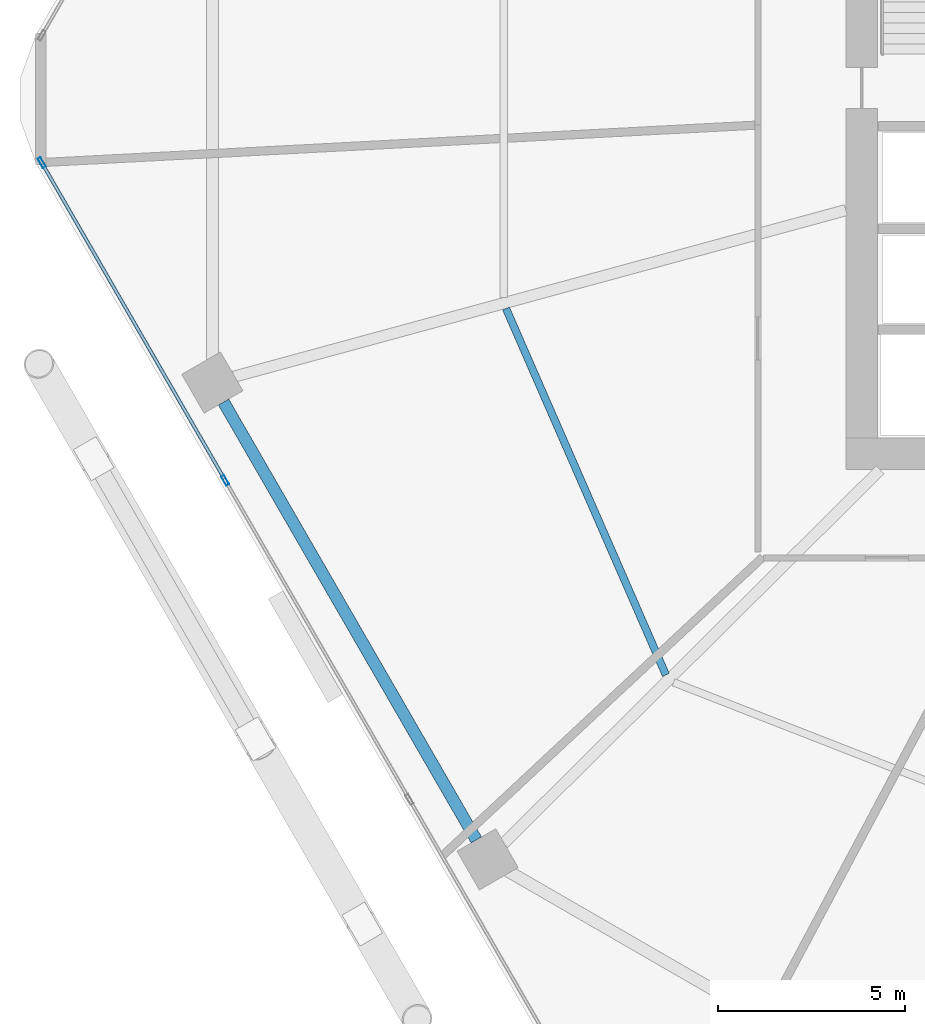
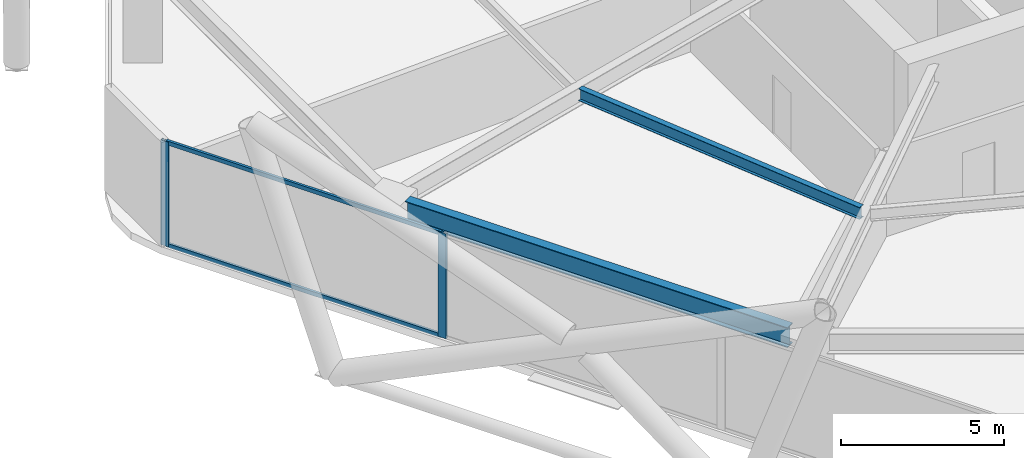
# One storey, part 5 of 30: 4 members, 2 beams, 1 element without a shape of its own.
"""IFC4 building model written with IfcOpenShell, lengths in metres."""

import ifcopenshell
import ifcopenshell.guid

model = None  # the IFC model being written
_history = None  # IfcOwnerHistory: only IFC2X3 demands one
_inside = {}  # id of a spatial element -> (the spatial element, [elements in it])
_under = {}  # id of a project, library or spatial element -> (it, [spatial elements below it])
_declared = {}  # id of a project -> (the project, [libraries it declares])
_typed = {}  # id of a type object -> (the type object, [elements of that type])
_made_of = {}  # id of a material, layer set ... -> (it, [elements and type objects made of it])


def new_model(schema):
    """Start an empty IFC model of exactly this schema.

    Asked for "IFC4X3", IfcOpenShell would pick the latest addendum, in which some entities
    have other attributes; the version numbers below select the first issue.
    IFC2X3 requires an IfcOwnerHistory on every rooted entity: one is made here for all.
    """
    global model, _history
    if schema == "IFC4X3":
        model = ifcopenshell.file(schema_version=(4, 3, 0, 0))
    else:
        model = ifcopenshell.file(schema=schema)
    _inside.clear()
    _under.clear()
    _declared.clear()
    _typed.clear()
    _made_of.clear()
    _history = None
    if model.schema == "IFC2X3":
        org = make("IfcOrganization", Name="unknown")
        user = make(
            "IfcPersonAndOrganization",
            ThePerson=make("IfcPerson", FamilyName="unknown"),
            TheOrganization=org,
        )
        app = make(
            "IfcApplication",
            ApplicationDeveloper=org,
            Version="unknown",
            ApplicationFullName="unknown",
            ApplicationIdentifier="unknown",
        )
        _history = make(
            "IfcOwnerHistory",
            OwningUser=user,
            OwningApplication=app,
            ChangeAction="ADDED",
            CreationDate=0,
        )
    return model


def make(cls, **values):
    """One entity of the class cls with the attributes given. An attribute that is None is left unset."""
    return model.create_entity(
        cls, **{name: value for name, value in values.items() if value is not None}
    )


def rooted(cls, **values):
    """An entity with a GlobalId (a new one), such as an element, a storey or a relation."""
    return make(cls, GlobalId=ifcopenshell.guid.new(), OwnerHistory=_history, **values)


def si_unit(unit_type, name, prefix=None):
    """IfcSIUnit, for example si_unit("LENGTHUNIT", "METRE", prefix="MILLI")."""
    return make("IfcSIUnit", UnitType=unit_type, Prefix=prefix, Name=name)


def assignment(units):
    """IfcUnitAssignment: the units of a project."""
    return None if units is None else make("IfcUnitAssignment", Units=units)


def point(xyz):
    """IfcCartesianPoint."""
    return None if xyz is None else make("IfcCartesianPoint", Coordinates=xyz)


def direction(xyz):
    """IfcDirection."""
    return None if xyz is None else make("IfcDirection", DirectionRatios=xyz)


def frame(location, z_axis=None, x_axis=None):
    """IfcAxis2Placement3D, a coordinate frame: its origin and axes. An axis left out is left unset."""
    return make(
        "IfcAxis2Placement3D",
        Location=point(location),
        Axis=direction(z_axis),
        RefDirection=direction(x_axis),
    )


def frame_2d(location, x_axis=None):
    """IfcAxis2Placement2D, a coordinate frame in the plane: its origin and x axis."""
    return make(
        "IfcAxis2Placement2D", Location=point(location), RefDirection=direction(x_axis)
    )


def origin():
    """The frame at (0, 0, 0) with its axes left unset."""
    return frame((0.0, 0.0, 0.0))


def origin_2d():
    """The frame at (0, 0) in the plane with its x axis left unset."""
    return frame_2d((0.0, 0.0))


def place(relative_to, where):
    """IfcLocalPlacement: puts the frame where relative to a parent placement (None: the world)."""
    return make(
        "IfcLocalPlacement", PlacementRelTo=relative_to, RelativePlacement=where
    )


def context(
    kind, dimensions, precision=None, world=None, true_north=None, identifier=None
):
    """IfcGeometricRepresentationContext, for example the 3D "Model" context."""
    return make(
        "IfcGeometricRepresentationContext",
        ContextIdentifier=identifier,
        ContextType=kind,
        CoordinateSpaceDimension=dimensions,
        Precision=precision,
        WorldCoordinateSystem=world,
        TrueNorth=true_north,
    )


def subcontext(parent, identifier, kind, view, scale=None):
    """IfcGeometricRepresentationSubContext, for example "Body" below "Model"."""
    return make(
        "IfcGeometricRepresentationSubContext",
        ContextIdentifier=identifier,
        ContextType=kind,
        ParentContext=parent,
        TargetScale=scale,
        TargetView=view,
    )


def project(units=None, contexts=None):
    """IfcProject with its units and contexts."""
    return rooted(
        "IfcProject",
        Name="project",
        RepresentationContexts=contexts,
        UnitsInContext=assignment(units),
    )


def spatial(cls, under=None, at=None, **own):
    """A site, building, storey or space (cls), placed at a placement, below another one or the project."""
    s = rooted(cls, ObjectPlacement=at, **own)
    if under is not None:
        _under.setdefault(under.id(), (under, []))[1].append(s)
    return s


def profile(cls, at=None, kind="AREA", **sizes):
    """A parametric profile (cls). Its sizes go by their IFC names, for example OverallWidth=200.0."""
    return make(cls, ProfileType=kind, Position=at, **sizes)


def hollow_rectangle(**sizes):
    """IfcRectangleHollowProfileDef."""
    return profile("IfcRectangleHollowProfileDef", **sizes)


def i_section(**sizes):
    """IfcIShapeProfileDef."""
    return profile("IfcIShapeProfileDef", **sizes)


def extrude(swept, where, along, depth):
    """IfcExtrudedAreaSolid: the profile swept, set in the frame where, extruded along a direction by depth."""
    return make(
        "IfcExtrudedAreaSolid",
        SweptArea=swept,
        Position=where,
        ExtrudedDirection=direction(along),
        Depth=depth,
    )


def shape(context_of_items, identifier, shape_type, items):
    """IfcShapeRepresentation: the items that make up one representation, for example the "Body"."""
    return make(
        "IfcShapeRepresentation",
        ContextOfItems=context_of_items,
        RepresentationIdentifier=identifier,
        RepresentationType=shape_type,
        Items=items,
    )


def material(Name=None, Category=None):
    """IfcMaterial."""
    return make("IfcMaterial", Name=Name, Category=Category)


def material_profile(
    of_material, cross_section, Name=None, Category=None, Priority=None
):
    """IfcMaterialProfile: a cross section and its material."""
    return make(
        "IfcMaterialProfile",
        Name=Name,
        Material=of_material,
        Profile=cross_section,
        Priority=Priority,
        Category=Category,
    )


def profile_set(profiles, Name=None, composite=None):
    """IfcMaterialProfileSet."""
    return make(
        "IfcMaterialProfileSet",
        Name=Name,
        MaterialProfiles=profiles,
        CompositeProfile=composite,
    )


def made_of(thing, what):
    """Note that an element or type object is made of a material, layer set ...; save() writes the relation."""
    if what is not None:
        _made_of.setdefault(what.id(), (what, []))[1].append(thing)
    return thing


def type_object(cls, material=None, **own):
    """A type object (cls), such as IfcWallType, which elements share."""
    return made_of(rooted(cls, **own), material)


def element(
    cls,
    number,
    at=None,
    inside=None,
    cuts=None,
    type_object=None,
    material=None,
    context=None,
    identifier="Body",
    shape_type=None,
    held_by="IfcProductDefinitionShape",
    body=None,
    shapes=None,
    **own,
):
    """One element of the class cls, such as IfcWall. Its Tag is "e" and its number.

    at: its placement. inside: the storey or other place that contains it. cuts: it is an
    opening in that element (IfcRelVoidsElement). A single representation is given by context,
    identifier, shape_type and body (its items); several are given by shapes. held_by: the class
    of the entity that holds the representations. save() writes the other relations.
    """
    e = rooted(cls, Tag="e%d" % number, ObjectPlacement=at, **own)
    if body is not None:
        shapes = [shape(context, identifier, shape_type, body)]
    if shapes is not None:
        e.Representation = make(held_by, Representations=shapes)
    if inside is not None:
        _inside.setdefault(inside.id(), (inside, []))[1].append(e)
    if cuts is not None:
        rooted(
            "IfcRelVoidsElement", RelatingBuildingElement=cuts, RelatedOpeningElement=e
        )
    if type_object is not None:
        _typed.setdefault(type_object.id(), (type_object, []))[1].append(e)
    return made_of(e, material)


def aggregate(whole, parts):
    """IfcRelAggregates: a whole, such as a stair, and the parts it consists of."""
    return rooted("IfcRelAggregates", RelatingObject=whole, RelatedObjects=parts)


def save(model, path):
    """Write the relations noted so far, then the file.

    IfcRelAggregates (storeys below a building ...), IfcRelContainedInSpatialStructure (elements
    in a storey), IfcRelDefinesByType, IfcRelAssociatesMaterial and IfcRelDeclares: one each for
    every whole, place, type object, material and project.
    """
    for whole, parts in _under.values():
        aggregate(whole, parts)
    for where, things in _inside.values():
        rooted(
            "IfcRelContainedInSpatialStructure",
            RelatedElements=things,
            RelatingStructure=where,
        )
    for kind, things in _typed.values():
        rooted("IfcRelDefinesByType", RelatedObjects=things, RelatingType=kind)
    for what, things in _made_of.values():
        rooted("IfcRelAssociatesMaterial", RelatedObjects=things, RelatingMaterial=what)
    for by, libraries in _declared.values():
        rooted("IfcRelDeclares", RelatingContext=by, RelatedDefinitions=libraries)
    model.write(path)


model = new_model("IFC4")

# Units and contexts
model_context = context("Model", 3, precision=1e-05, world=origin(), true_north=direction((0.0, 1.0)))
body_context = subcontext(model_context, "Body", "Model", "MODEL_VIEW")
ifc_project = project(units=[si_unit("LENGTHUNIT", "METRE"), si_unit("AREAUNIT", "SQUARE_METRE"), si_unit("VOLUMEUNIT", "CUBIC_METRE"), si_unit("PLANEANGLEUNIT", "RADIAN"), si_unit("MASSUNIT", "GRAM", prefix="KILO")], contexts=[model_context])

# Site, building, storey
site_placement = place(None, origin())
site = spatial("IfcSite", under=ifc_project, at=site_placement, CompositionType="ELEMENT")
building_placement = place(site_placement, origin())
building = spatial("IfcBuilding", under=site, at=building_placement, Name="Zuhravey Tower", CompositionType="ELEMENT")
storey_placement = place(building_placement, frame((0.0, 0.0, 33.0)))
storey = spatial("IfcBuildingStorey", under=building, at=storey_placement, Name="L08", CompositionType="ELEMENT", Elevation=33.0)

# Curtain wall, members
ifc_material_1 = material(Name="Thermally broken anodised aluminium", Category="aluminium")
curtain_wall_type = type_object("IfcCurtainWallType", Name="School Low-E Unitised Curtain Wall CW1", PredefinedType="NOTDEFINED", material=ifc_material_1)
curtain_wall_placement = place(storey_placement, origin())
curtain_wall = element("IfcCurtainWall", 1, at=curtain_wall_placement, inside=storey, type_object=curtain_wall_type, Name="L08 CW1 CW-L08-F4-1", PredefinedType="NOTDEFINED")
ifc_material_2 = material(Name="Anodised aluminium", Category="aluminium")
ifc_material_profile_1 = material_profile(ifc_material_2, hollow_rectangle(XDim=0.090087890625, YDim=0.284912109375, WallThickness=0.0048828125, at=origin_2d()), Name="ALU-RHS-90x285x5")
ifc_profile_set_1 = profile_set([ifc_material_profile_1], Name="Anodised aluminium")
member_type_1 = type_object("IfcMemberType", Name="Curtain-Wall Mullion 90x180", PredefinedType="MULLION", material=ifc_profile_set_1)
member_1_placement = place(storey_placement, frame((8.45458984375, 21.79296875, 0.0), z_axis=(0.0, 0.0, 1.0), x_axis=(-0.86602552265, -0.499999794119, 0.0)))
member_1 = element("IfcMember", 2, at=member_1_placement, type_object=member_type_1, Name="CW1 mullion 3", PredefinedType="MULLION", context=body_context, shape_type="SweptSolid", body=[
    extrude(hollow_rectangle(XDim=0.090087890625, YDim=0.284912109375, WallThickness=0.0048828125, at=origin_2d()), origin(), (0.0, 0.0, 1.0), 3.919921875),
])
member_2_placement = place(storey_placement, frame((3.5439453125, 30.298583984375, 0.0), z_axis=(0.0, 0.0, 1.0), x_axis=(-0.86602552265, -0.499999794119, 0.0)))
member_2 = element("IfcMember", 3, at=member_2_placement, type_object=member_type_1, Name="CW1 mullion 4", PredefinedType="MULLION", context=body_context, shape_type="SweptSolid", body=[
    extrude(hollow_rectangle(XDim=0.090087890625, YDim=0.284912109375, WallThickness=0.0048828125, at=origin_2d()), origin(), (0.0, 0.0, 1.0), 3.919921875),
])
ifc_material_profile_2 = material_profile(ifc_material_2, hollow_rectangle(XDim=0.090087890625, YDim=0.14990234375, WallThickness=0.0048828125, at=origin_2d()), Name="ALU-RHS-90x150x5")
ifc_profile_set_2 = profile_set([ifc_material_profile_2], Name="Anodised aluminium")
member_type_2 = type_object("IfcMemberType", Name="Curtain-Wall Transom 90x150", PredefinedType="USERDEFINED", material=ifc_profile_set_2)
member_3_placement = place(storey_placement, frame((8.43212890625, 21.83203125, 0.044921875), z_axis=(-0.500008393077, 0.866020557985, 0.0), x_axis=(-0.866020557985, -0.500008393077, 0.0)))
member_3 = element("IfcMember", 4, at=member_3_placement, type_object=member_type_2, Name="CW1 transom 3.1", ObjectType="TRANSOM", PredefinedType="USERDEFINED", context=body_context, shape_type="SweptSolid", body=[
    extrude(hollow_rectangle(XDim=0.090087890625, YDim=0.14990234375, WallThickness=0.0048828125, at=origin_2d()), origin(), (0.0, 0.0, 1.0), 9.731201171875),
])
member_4_placement = place(storey_placement, frame((8.43212890625, 21.83203125, 3.875), z_axis=(-0.500008393077, 0.866020557985, 0.0), x_axis=(-0.866020557985, -0.500008393077, 0.0)))
member_4 = element("IfcMember", 5, at=member_4_placement, type_object=member_type_2, Name="CW1 transom 3.2", ObjectType="TRANSOM", PredefinedType="USERDEFINED", context=body_context, shape_type="SweptSolid", body=[
    extrude(hollow_rectangle(XDim=0.090087890625, YDim=0.14990234375, WallThickness=0.0048828125, at=origin_2d()), origin(), (0.0, 0.0, 1.0), 9.731201171875),
])
aggregate(curtain_wall, [member_1, member_2, member_3, member_4])

# Beams
ifc_material_3 = material(Name="Steel SM355", Category="steel")
ifc_material_profile_3 = material_profile(ifc_material_3, i_section(OverallWidth=0.320068359375, OverallDepth=0.75, WebThickness=0.013916015625, FlangeThickness=0.02490234375, at=origin_2d()), Name="H-750x320x14x25")
ifc_profile_set_3 = profile_set([ifc_material_profile_3], Name="Steel SM355")
beam_type_1 = type_object("IfcBeamType", Name="Perimeter Ring Beam H750x320", PredefinedType="BEAM", material=ifc_profile_set_3)
beam_1_placement = place(storey_placement, frame((8.412353515625, 23.88623046875, 3.544921875), z_axis=(0.499999877243, -0.866025474658, 0.0), x_axis=(0.866025474658, 0.499999877243, 0.0)))
element("IfcBeam", 6, at=beam_1_placement, inside=storey, type_object=beam_type_1, Name="L08 PB1 BM-L08-PB-07", PredefinedType="BEAM", context=body_context, shape_type="SweptSolid", body=[
    extrude(i_section(OverallWidth=0.320068359375, OverallDepth=0.75, WebThickness=0.013916015625, FlangeThickness=0.02490234375, at=origin_2d()), origin(), (0.0, 0.0, 1.0), 13.5341796875),
])
ifc_material_profile_4 = material_profile(ifc_material_3, i_section(OverallWidth=0.199951171875, OverallDepth=0.449951171875, WebThickness=0.009033203125, FlangeThickness=0.013916015625, at=origin_2d()), Name="H-450x200x9x14")
ifc_profile_set_4 = profile_set([ifc_material_profile_4], Name="Steel SM355")
beam_type_2 = type_object("IfcBeamType", Name="Secondary Floor Joist H450x200", PredefinedType="JOIST", material=ifc_profile_set_4)
beam_2_placement = place(storey_placement, frame((15.974609375, 26.39111328125, 3.695068359375), z_axis=(0.399923551578, -0.916548500022, 0.0), x_axis=(0.916548500022, 0.399923551578, 0.0)))
element("IfcBeam", 7, at=beam_2_placement, inside=storey, type_object=beam_type_2, Name="L08 SJ1 BM-L08-SJ-07-1", PredefinedType="JOIST", context=body_context, shape_type="SweptSolid", body=[
    extrude(i_section(OverallWidth=0.199951171875, OverallDepth=0.449951171875, WebThickness=0.009033203125, FlangeThickness=0.013916015625, at=origin_2d()), origin(), (0.0, 0.0, 1.0), 10.70263671875),
])

save(model, "model.ifc")
